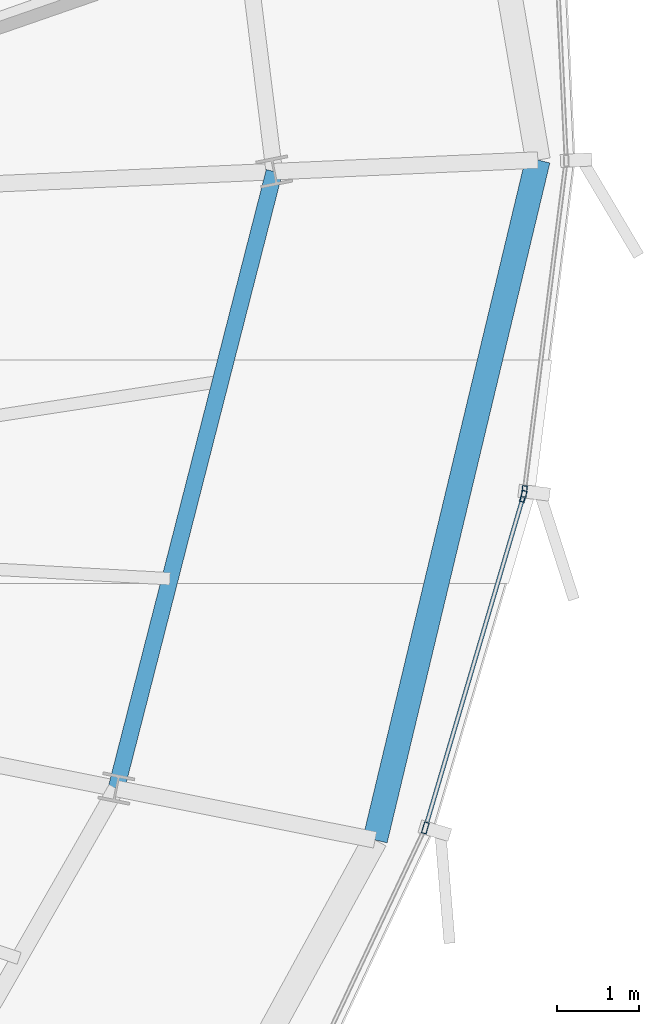
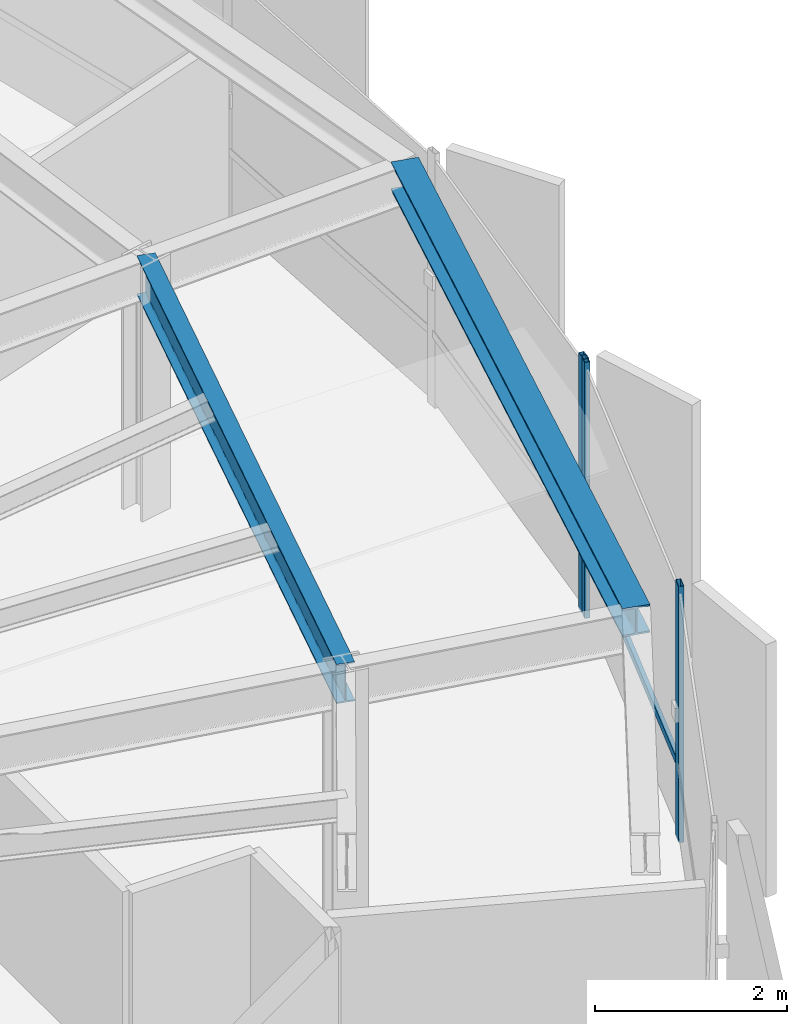
# One storey, part 15 of 33: 4 members, 2 beams, 2 elements without a shape of their own.
"""IFC4 building model written with IfcOpenShell, lengths in metres."""

from ifc_helpers import new_model, si_unit, direction, frame, origin, origin_2d, place, context, subcontext, project, spatial, hollow_rectangle, i_section, extrude, source, transform, mapped, material, layer, layer_set, material_profile, profile_set, type_object, element, aggregate, save


model = new_model("IFC4")

# Units and contexts
model_context = context("Model", 3, precision=1e-05, world=origin(), true_north=direction((0.0, 1.0)))
body_context = subcontext(model_context, "Body", "Model", "MODEL_VIEW")
ifc_project = project(units=[si_unit("LENGTHUNIT", "METRE"), si_unit("AREAUNIT", "SQUARE_METRE"), si_unit("VOLUMEUNIT", "CUBIC_METRE"), si_unit("PLANEANGLEUNIT", "RADIAN"), si_unit("MASSUNIT", "GRAM", prefix="KILO"), si_unit("THERMODYNAMICTEMPERATUREUNIT", "KELVIN")], contexts=[model_context])

# Site, building, storey
site_placement = place(None, origin())
site = spatial("IfcSite", under=ifc_project, at=site_placement, CompositionType="ELEMENT")
building_placement = place(site_placement, origin())
building = spatial("IfcBuilding", under=site, at=building_placement, Name="Kethvar Cultural Tower", CompositionType="ELEMENT")
storey_placement = place(building_placement, frame((0.0, 0.0, 211.39990234375)))
storey = spatial("IfcBuildingStorey", under=building, at=storey_placement, Name="L55", CompositionType="ELEMENT", Elevation=211.39990234375)

# Beams
ifc_material_1 = material(Name="Steel S355J2", Category="steel")
ifc_material_profile_1 = material_profile(ifc_material_1, i_section(OverallWidth=0.199951171875, OverallDepth=0.5, WebThickness=0.01025390625, FlangeThickness=0.01611328125, FilletRadius=0.02099609375, at=origin_2d()), Name="Steel S355J2 — IPE500")
ifc_profile_set_1 = profile_set([ifc_material_profile_1], Name="Steel S355J2 — IPE500")
beam_type_1 = type_object("IfcBeamType", Name="BM-IPE500", PredefinedType="BEAM", material=ifc_profile_set_1)
shared_shape_1 = source(origin(), body_context, "Body", "SweptSolid", [
    extrude(i_section(OverallWidth=0.199951171875, OverallDepth=0.5, WebThickness=0.01025390625, FlangeThickness=0.01611328125, FilletRadius=0.02099609375, at=origin_2d()), origin(), (0.0, 0.0, 1.0), 7.72265625),
])
beam_1_placement = place(storey_placement, frame((64.648681640625, 24.249755859375, 3.008056640625), z_axis=(0.248006445258, 0.968758382214, 0.0), x_axis=(-0.968758382214, 0.248006445258, 0.0)))
element("IfcBeam", 1, at=beam_1_placement, inside=storey, type_object=beam_type_1, Name="L55 Column Ring Tie Beam CR-16", PredefinedType="BEAM", context=body_context, shape_type="MappedRepresentation", body=[
    mapped(shared_shape_1, transform((0.0, 0.0, 0.0), scale=1.0)),
])
ifc_material_profile_2 = material_profile(ifc_material_1, i_section(OverallWidth=0.300048828125, OverallDepth=0.360107421875, WebThickness=0.012451171875, FlangeThickness=0.0224609375, FilletRadius=0.027099609375, at=origin_2d()), Name="Steel S355J2 — HEB360")
ifc_profile_set_2 = profile_set([ifc_material_profile_2], Name="Steel S355J2 — HEB360")
beam_type_2 = type_object("IfcBeamType", Name="BM-SP360", PredefinedType="SPANDREL", material=ifc_profile_set_2)
shared_shape_2 = source(origin(), body_context, "Body", "SweptSolid", [
    extrude(i_section(OverallWidth=0.300048828125, OverallDepth=0.360107421875, WebThickness=0.012451171875, FlangeThickness=0.0224609375, FilletRadius=0.027099609375, at=origin_2d()), origin(), (0.0, 0.0, 1.0), 8.47900390625),
])
beam_2_placement = place(storey_placement, frame((67.787109375, 23.62548828125, 3.078125), z_axis=(0.232794647368, 0.97252591336, 0.0), x_axis=(-0.97252591336, 0.232794647368, 0.0)))
element("IfcBeam", 2, at=beam_2_placement, inside=storey, type_object=beam_type_2, Name="L55 Perimeter Spandrel Beam SP-16", PredefinedType="SPANDREL", context=body_context, shape_type="MappedRepresentation", body=[
    mapped(shared_shape_2, transform((0.0, 0.0, 0.0), scale=1.0)),
])

# Curtain wall, members
ifc_material_2 = material(Name="Aluminium 6063-T6", Category="aluminium")
ifc_layer = layer(ifc_material_2, 0.179931640625, Name="Aluminium 6063-T6", Category="aluminium")
ifc_layer_set = layer_set([ifc_layer], Name="Aluminium 6063-T6 (180 mm)")
curtain_wall_type = type_object("IfcCurtainWallType", Name="CW-SYS-04-Z34", PredefinedType="NOTDEFINED", material=ifc_layer_set)
curtain_wall_1_placement = place(storey_placement, origin())
curtain_wall_1 = element("IfcCurtainWall", 3, at=curtain_wall_1_placement, inside=storey, type_object=curtain_wall_type, Name="L55 Curtain Wall Run 05", PredefinedType="NOTDEFINED")
ifc_material_profile_3 = material_profile(ifc_material_2, hollow_rectangle(XDim=0.06005859375, YDim=0.139892578125, WallThickness=0.0048828125, at=origin_2d()), Name="Aluminium 6063-T6 — RHS140x60x5")
ifc_profile_set_3 = profile_set([ifc_material_profile_3], Name="Aluminium 6063-T6 — RHS140x60x5")
member_type_1 = type_object("IfcMemberType", Name="CW-SYS-04-Z34-MUL", PredefinedType="MULLION", material=ifc_profile_set_3)
shared_shape_3 = source(origin(), body_context, "Body", "SweptSolid", [
    extrude(hollow_rectangle(XDim=0.06005859375, YDim=0.139892578125, WallThickness=0.0048828125, at=origin_2d()), origin(), (0.0, 0.0, 1.0), 3.260009765625),
])
member_1_placement = place(storey_placement, frame((68.396484375, 23.772216796875, 0.0), z_axis=(0.0, 0.0, 1.0), x_axis=(-0.959017781309, 0.283345893093, 0.0)))
member_1 = element("IfcMember", 4, at=member_1_placement, type_object=member_type_1, Name="CW-L55-R05 Mullion 6", PredefinedType="MULLION", context=body_context, shape_type="MappedRepresentation", body=[
    mapped(shared_shape_3, transform((0.0, 0.0, 0.0), scale=1.0)),
])
member_2_placement = place(storey_placement, frame((69.584716796875, 27.79345703125, 0.0), z_axis=(0.0, 0.0, 1.0), x_axis=(-0.959017781309, 0.283345893093, 0.0)))
member_2 = element("IfcMember", 5, at=member_2_placement, type_object=member_type_1, Name="CW-L55-R05 Mullion 7", PredefinedType="MULLION", context=body_context, shape_type="MappedRepresentation", body=[
    mapped(shared_shape_3, transform((0.0, 0.0, 0.0), scale=1.0)),
])

# Curtain wall, member
curtain_wall_2_placement = place(storey_placement, origin())
curtain_wall_2 = element("IfcCurtainWall", 6, at=curtain_wall_2_placement, inside=storey, type_object=curtain_wall_type, Name="L55 Curtain Wall Run 06", PredefinedType="NOTDEFINED")
member_3_placement = place(storey_placement, frame((69.596923828125, 27.85205078125, 0.0), z_axis=(0.0, 0.0, 1.0), x_axis=(-0.992110325755, 0.125367864824, 0.0)))
member_3 = element("IfcMember", 7, at=member_3_placement, type_object=member_type_1, Name="CW-L55-R06 Mullion 1", PredefinedType="MULLION", context=body_context, shape_type="MappedRepresentation", body=[
    mapped(shared_shape_3, transform((0.0, 0.0, 0.0), scale=1.0)),
])
aggregate(curtain_wall_2, [member_3])

# Member
ifc_material_profile_4 = material_profile(ifc_material_2, hollow_rectangle(XDim=0.050048828125, YDim=0.10009765625, WallThickness=0.00390625, at=origin_2d()), Name="Aluminium 6063-T6 — RHS100x50x4")
ifc_profile_set_4 = profile_set([ifc_material_profile_4], Name="Aluminium 6063-T6 — RHS100x50x4")
member_type_2 = type_object("IfcMemberType", Name="CW-SYS-04-Z34-TRN", PredefinedType="USERDEFINED", material=ifc_profile_set_4)
shared_shape_4 = source(origin(), body_context, "Body", "SweptSolid", [
    extrude(hollow_rectangle(XDim=0.050048828125, YDim=0.10009765625, WallThickness=0.00390625, at=origin_2d()), origin(), (0.0, 0.0, 1.0), 4.1455078125),
])
member_4_placement = place(storey_placement, frame((68.40869140625, 23.813720703125, 0.9501953125), z_axis=(0.283390456932, 0.959004613607, 0.0), x_axis=(-0.959004613607, 0.283390456932, 0.0)))
member_4 = element("IfcMember", 8, at=member_4_placement, type_object=member_type_2, Name="CW-L55-R05 Transom 6", ObjectType="TRANSOM", PredefinedType="USERDEFINED", context=body_context, shape_type="MappedRepresentation", body=[
    mapped(shared_shape_4, transform((0.0, 0.0, 0.0), scale=1.0)),
])

aggregate(curtain_wall_1, [member_1, member_2, member_4])

save(model, "model.ifc")
